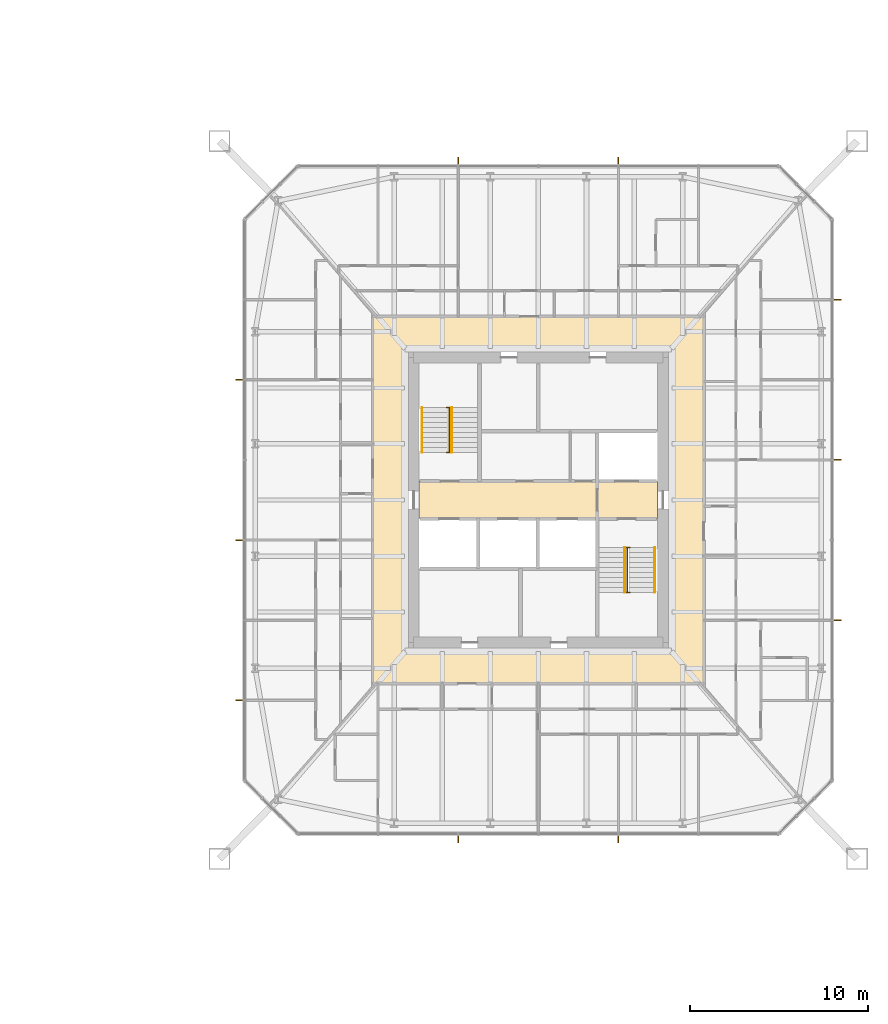
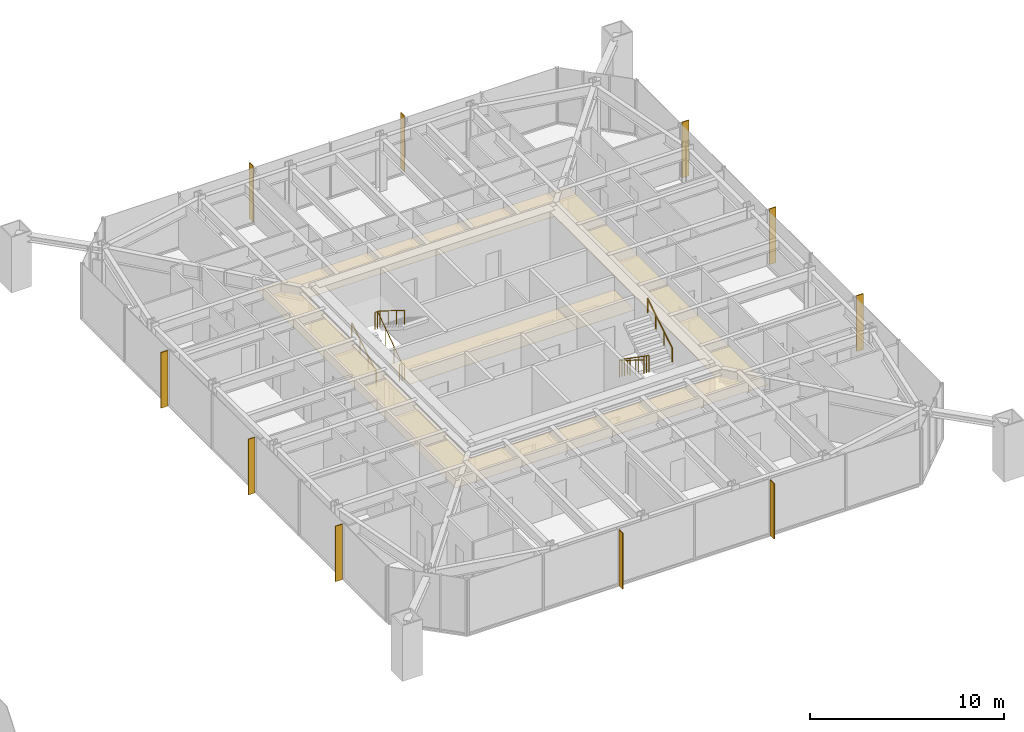
# One storey, part 26 of 26: 10 shading devices, 6 railings, 3 coverings.
"""IFC4 building model written with IfcOpenShell, lengths in metres."""

from ifc_helpers import new_model, si_unit, direction, frame, origin, origin_2d, place, context, subcontext, project, spatial, polyline, rectangle, circle, outline, extrude, material, layer, layer_set, constituent, constituent_set, type_object, element, save


model = new_model("IFC4")

# Units and contexts
model_context = context("Model", 3, precision=1e-05, world=origin(), true_north=direction((0.0, 1.0)))
body_context = subcontext(model_context, "Body", "Model", "MODEL_VIEW")
ifc_project = project(units=[si_unit("LENGTHUNIT", "METRE"), si_unit("AREAUNIT", "SQUARE_METRE"), si_unit("VOLUMEUNIT", "CUBIC_METRE"), si_unit("PLANEANGLEUNIT", "RADIAN"), si_unit("MASSUNIT", "GRAM", prefix="KILO")], contexts=[model_context])

# Site, building, storey
site_placement = place(None, origin())
site = spatial("IfcSite", under=ifc_project, at=site_placement, CompositionType="ELEMENT")
building_placement = place(site_placement, origin())
building = spatial("IfcBuilding", under=site, at=building_placement, Name="Iwan Alto Co-Living Towers", CompositionType="ELEMENT")
storey_placement = place(building_placement, frame((0.0, 0.0, 29.0)))
storey = spatial("IfcBuildingStorey", under=building, at=storey_placement, Name="L07", CompositionType="ELEMENT", Elevation=29.0)

# Coverings
ifc_material_1 = material(Name="Mineral fibre acoustic tiles on steel grid", Category="steel")
ifc_layer_1 = layer(ifc_material_1, 0.02001953125)
ifc_layer_set_1 = layer_set([ifc_layer_1], Name="ACOUSTIC TILE CEILING 20")
covering_type_1 = type_object("IfcCoveringType", Name="ACOUSTIC TILE CEILING 20", PredefinedType="CEILING", material=ifc_layer_set_1)
covering_1_placement = place(storey_placement, frame((0.0, 0.0, 2.60009765625)))
element("IfcCovering", 1, at=covering_1_placement, inside=storey, type_object=covering_type_1, Name="Ceiling Lift lobby L07", PredefinedType="CEILING", context=body_context, shape_type="SweptSolid", body=[
    extrude(outline(polyline([(56.300048828125, -1.050048828125), (56.300048828125, 1.050048828125), (66.300048828125, 1.050048828125), (66.300048828125, -1.050048828125), (56.300048828125, -1.050048828125)])), origin(), (0.0, 0.0, 1.0), 0.02001953125),
])
covering_2_placement = place(storey_placement, frame((0.0, 0.0, 2.60009765625)))
element("IfcCovering", 2, at=covering_2_placement, inside=storey, type_object=covering_type_1, Name="Ceiling Firefighting lobby L07", PredefinedType="CEILING", context=body_context, shape_type="SweptSolid", body=[
    extrude(outline(polyline([(66.300048828125, -1.050048828125), (66.300048828125, 1.050048828125), (69.699951171875, 1.050048828125), (69.699951171875, -1.050048828125), (66.300048828125, -1.050048828125)])), origin(), (0.0, 0.0, 1.0), 0.02001953125),
])

# Shading devices
ifc_material_2 = material(Name="Aluminium 6063-T6 bronze anodised", Category="aluminium")
ifc_layer_2 = layer(ifc_material_2, 0.050048828125)
ifc_layer_set_2 = layer_set([ifc_layer_2], Name="BRONZE FIN 50X400")
shading_device_type = type_object("IfcShadingDeviceType", Name="BRONZE FIN 50X400", PredefinedType="USERDEFINED", material=ifc_layer_set_2)
for number, where, z_axis, x_axis, name in (
    (3, (58.5, -19.050048828125, 0.0), (0.0, 0.0, 1.0), (1.0, 0.0, 0.0), "Bronze fin L07"),
    (4, (67.5, -19.050048828125, 0.0), (0.0, 0.0, 1.0), (1.0, 0.0, 0.0), "Bronze fin L07"),
    (5, (79.800048828125, -6.75, 0.0), (0.0, 0.0, 1.0), (0.0, 1.0, 0.0), "Bronze fin L07"),
    (6, (79.800048828125, 2.25, 0.0), (0.0, 0.0, 1.0), (0.0, 1.0, 0.0), "Bronze fin L07"),
    (7, (79.800048828125, 11.25, 0.0), (0.0, 0.0, 1.0), (0.0, 1.0, 0.0), "Bronze fin L07"),
    (8, (67.5, 19.050048828125, 0.0), (0.0, 0.0, 1.0), (-1.0, 0.0, 0.0), "Bronze fin L07"),
    (9, (58.5, 19.050048828125, 0.0), (0.0, 0.0, 1.0), (-1.0, 0.0, 0.0), "Bronze fin L07"),
    (10, (46.199951171875, 6.75, 0.0), (0.0, 0.0, 1.0), (0.0, -1.0, 0.0), "Bronze fin L07"),
    (11, (46.199951171875, -2.25, 0.0), (0.0, 0.0, 1.0), (0.0, -1.0, 0.0), "Bronze fin L07"),
    (12, (46.199951171875, -11.25, 0.0), (0.0, 0.0, 1.0), (0.0, -1.0, 0.0), "Bronze fin L07"),
):
    element("IfcShadingDevice", number, at=place(storey_placement, frame(where, z_axis=z_axis, x_axis=x_axis)), inside=storey, type_object=shading_device_type, Name=name, ObjectType="LOUVER", PredefinedType="USERDEFINED", context=body_context, shape_type="SweptSolid", body=[
        extrude(rectangle(XDim=0.050048828125, YDim=0.39990234375, at=origin_2d()), origin(), (0.0, 0.0, 1.0), 3.5),
    ])

# Railings
ifc_material_3 = material(Name="Steel ASTM A500 Gr C", Category="steel")
ifc_constituent_1 = constituent(ifc_material_3, Name="Rails and posts", Category="Framing")
ifc_material_4 = material(Name="Steel ASTM A36", Category="steel")
ifc_constituent_2 = constituent(ifc_material_4, Name="Bar infill", Category="Infill")
ifc_constituent_set = constituent_set(constituents=[ifc_constituent_1, ifc_constituent_2], Name="STAIR GUARD 1100")
railing_type_1 = type_object("IfcRailingType", Name="STAIR GUARD 1100", PredefinedType="GUARDRAIL", material=ifc_constituent_set)
railing_1_placement = place(storey_placement, frame((58.0, 2.669921875, 0.0)))
element("IfcRailing", 13, at=railing_1_placement, inside=storey, type_object=railing_type_1, Name="Stair T2-S1 well guard L07", PredefinedType="GUARDRAIL", context=body_context, shape_type="SweptSolid", body=[
    extrude(circle(Radius=0.02392578125, at=origin_2d()), frame((0.0, 0.0, 1.076171875), z_axis=(0.0, 0.821372036852, 0.570392826987), x_axis=(-1.0, 0.0, 0.0)), (0.0, 0.0, 1.0), 3.068115234375),
    extrude(circle(Radius=0.02392578125, at=origin_2d()), frame((-0.14990234375, 0.0, 1.076171875), z_axis=(1.0, 0.0, 0.0), x_axis=(0.0, 1.0, 0.0)), (0.0, 0.0, 1.0), 0.2998046875),
    extrude(circle(Radius=0.02392578125, at=origin_2d()), frame((-0.14990234375, 2.52001953125, 2.826171875), z_axis=(1.0, 0.0, 0.0), x_axis=(0.0, 1.0, 0.0)), (0.0, 0.0, 1.0), 0.2998046875),
    extrude(circle(Radius=0.02099609375, at=origin_2d()), origin(), (0.0, 0.0, 1.0), 1.052001953125),
    extrude(circle(Radius=0.02099609375, at=origin_2d()), frame((0.0, 0.840087890625, 0.583251953125)), (0.0, 0.0, 1.0), 1.052001953125),
    extrude(circle(Radius=0.02099609375, at=origin_2d()), frame((0.0, 1.679931640625, 1.166748046875)), (0.0, 0.0, 1.0), 1.052001953125),
    extrude(circle(Radius=0.02099609375, at=origin_2d()), frame((0.0, 2.52001953125, 1.75)), (0.0, 0.0, 1.0), 1.052001953125),
    extrude(circle(Radius=0.02099609375, at=origin_2d()), frame((-0.14990234375, 0.0, 0.0)), (0.0, 0.0, 1.0), 1.052001953125),
    extrude(circle(Radius=0.02099609375, at=origin_2d()), frame((0.14990234375, 0.0, 0.0)), (0.0, 0.0, 1.0), 1.052001953125),
    extrude(circle(Radius=0.02099609375, at=origin_2d()), frame((-0.14990234375, 2.52001953125, 1.75)), (0.0, 0.0, 1.0), 1.052001953125),
    extrude(circle(Radius=0.02099609375, at=origin_2d()), frame((0.14990234375, 2.52001953125, 1.75)), (0.0, 0.0, 1.0), 1.052001953125),
])
railing_2_placement = place(storey_placement, frame((68.0, -2.669921875, 0.0)))
element("IfcRailing", 14, at=railing_2_placement, inside=storey, type_object=railing_type_1, Name="Stair T2-S2 well guard L07", PredefinedType="GUARDRAIL", context=body_context, shape_type="SweptSolid", body=[
    extrude(circle(Radius=0.02392578125, at=origin_2d()), frame((0.0, 0.0, 1.076171875), z_axis=(0.0, -0.821372036852, 0.570392826987), x_axis=(1.0, 0.0, 0.0)), (0.0, 0.0, 1.0), 3.068115234375),
    extrude(circle(Radius=0.02392578125, at=origin_2d()), frame((-0.14990234375, 0.0, 1.076171875), z_axis=(1.0, 0.0, 0.0), x_axis=(0.0, 1.0, 0.0)), (0.0, 0.0, 1.0), 0.2998046875),
    extrude(circle(Radius=0.02392578125, at=origin_2d()), frame((-0.14990234375, -2.52001953125, 2.826171875), z_axis=(1.0, 0.0, 0.0), x_axis=(0.0, 1.0, 0.0)), (0.0, 0.0, 1.0), 0.2998046875),
    extrude(circle(Radius=0.02099609375, at=origin_2d()), origin(), (0.0, 0.0, 1.0), 1.052001953125),
    extrude(circle(Radius=0.02099609375, at=origin_2d()), frame((0.0, -0.840087890625, 0.583251953125)), (0.0, 0.0, 1.0), 1.052001953125),
    extrude(circle(Radius=0.02099609375, at=origin_2d()), frame((0.0, -1.679931640625, 1.166748046875)), (0.0, 0.0, 1.0), 1.052001953125),
    extrude(circle(Radius=0.02099609375, at=origin_2d()), frame((0.0, -2.52001953125, 1.75)), (0.0, 0.0, 1.0), 1.052001953125),
    extrude(circle(Radius=0.02099609375, at=origin_2d()), frame((-0.14990234375, 0.0, 0.0)), (0.0, 0.0, 1.0), 1.052001953125),
    extrude(circle(Radius=0.02099609375, at=origin_2d()), frame((0.14990234375, 0.0, 0.0)), (0.0, 0.0, 1.0), 1.052001953125),
    extrude(circle(Radius=0.02099609375, at=origin_2d()), frame((-0.14990234375, -2.52001953125, 1.75)), (0.0, 0.0, 1.0), 1.052001953125),
    extrude(circle(Radius=0.02099609375, at=origin_2d()), frame((0.14990234375, -2.52001953125, 1.75)), (0.0, 0.0, 1.0), 1.052001953125),
])
ifc_material_5 = material(Name="Steel ASTM A500 Gr C", Category="steel")
railing_type_2 = type_object("IfcRailingType", Name="STAIR HANDRAIL 900", PredefinedType="HANDRAIL", material=ifc_material_5)
railing_3_placement = place(storey_placement, frame((56.469970703125, 2.669921875, 0.175048828125)))
element("IfcRailing", 15, at=railing_3_placement, inside=storey, type_object=railing_type_2, Name="Stair T2-S1 handrail 1 L07", PredefinedType="HANDRAIL", context=body_context, shape_type="SweptSolid", body=[
    extrude(circle(Radius=0.02392578125, at=origin_2d()), frame((0.0, 0.0, 0.8759765625), z_axis=(0.0, 0.848007534815, 0.529984170421), x_axis=(-1.0, 0.0, 0.0)), (0.0, 0.0, 1.0), 2.9716796875),
    extrude(circle(Radius=0.02099609375, at=origin_2d()), origin(), (0.0, 0.0, 1.0), 0.851806640625),
    extrude(circle(Radius=0.02099609375, at=origin_2d()), frame((0.0, 0.840087890625, 0.52490234375)), (0.0, 0.0, 1.0), 0.851806640625),
    extrude(circle(Radius=0.02099609375, at=origin_2d()), frame((0.0, 1.679931640625, 1.050048828125)), (0.0, 0.0, 1.0), 0.851806640625),
    extrude(circle(Radius=0.02099609375, at=origin_2d()), frame((0.0, 2.52001953125, 1.574951171875)), (0.0, 0.0, 1.0), 0.851806640625),
])
for number, where, name in (
    (16, (58.14990234375, 5.18994140625, 1.925048828125), "Stair T2-S1 handrail 2 L07"),
    (17, (67.85009765625, -2.669921875, 0.175048828125), "Stair T2-S2 handrail 1 L07"),
):
    element("IfcRailing", number, at=place(storey_placement, frame(where)), inside=storey, type_object=railing_type_2, Name=name, PredefinedType="HANDRAIL", context=body_context, shape_type="SweptSolid", body=[
        extrude(circle(Radius=0.02392578125, at=origin_2d()), frame((0.0, 0.0, 0.8759765625), z_axis=(0.0, -0.848007534815, 0.529984170421), x_axis=(1.0, 0.0, 0.0)), (0.0, 0.0, 1.0), 2.9716796875),
        extrude(circle(Radius=0.02099609375, at=origin_2d()), origin(), (0.0, 0.0, 1.0), 0.851806640625),
        extrude(circle(Radius=0.02099609375, at=origin_2d()), frame((0.0, -0.840087890625, 0.52490234375)), (0.0, 0.0, 1.0), 0.851806640625),
        extrude(circle(Radius=0.02099609375, at=origin_2d()), frame((0.0, -1.679931640625, 1.050048828125)), (0.0, 0.0, 1.0), 0.851806640625),
        extrude(circle(Radius=0.02099609375, at=origin_2d()), frame((0.0, -2.52001953125, 1.574951171875)), (0.0, 0.0, 1.0), 0.851806640625),
    ])
railing_4_placement = place(storey_placement, frame((69.530029296875, -5.18994140625, 1.925048828125)))
element("IfcRailing", 18, at=railing_4_placement, inside=storey, type_object=railing_type_2, Name="Stair T2-S2 handrail 2 L07", PredefinedType="HANDRAIL", context=body_context, shape_type="SweptSolid", body=[
    extrude(circle(Radius=0.02392578125, at=origin_2d()), frame((0.0, 0.0, 0.8759765625), z_axis=(0.0, 0.848007534815, 0.529984170421), x_axis=(-1.0, 0.0, 0.0)), (0.0, 0.0, 1.0), 2.9716796875),
    extrude(circle(Radius=0.02099609375, at=origin_2d()), origin(), (0.0, 0.0, 1.0), 0.851806640625),
    extrude(circle(Radius=0.02099609375, at=origin_2d()), frame((0.0, 0.840087890625, 0.52490234375)), (0.0, 0.0, 1.0), 0.851806640625),
    extrude(circle(Radius=0.02099609375, at=origin_2d()), frame((0.0, 1.679931640625, 1.050048828125)), (0.0, 0.0, 1.0), 0.851806640625),
    extrude(circle(Radius=0.02099609375, at=origin_2d()), frame((0.0, 2.52001953125, 1.574951171875)), (0.0, 0.0, 1.0), 0.851806640625),
])

# Covering
ifc_material_6 = material(Name="Gypsum plasterboard on steel grid", Category="steel")
ifc_layer_3 = layer(ifc_material_6, 0.014892578125)
ifc_layer_set_3 = layer_set([ifc_layer_3], Name="SUSPENDED PLASTERBOARD CEILING 15")
covering_type_2 = type_object("IfcCoveringType", Name="SUSPENDED PLASTERBOARD CEILING 15", PredefinedType="CEILING", material=ifc_layer_set_3)
covering_3_placement = place(storey_placement, frame((0.0, 0.0, 2.60009765625)))
element("IfcCovering", 19, at=covering_3_placement, inside=storey, type_object=covering_type_2, Name="Ceiling Corridor L07", PredefinedType="CEILING", context=body_context, shape_type="SweptSolid", body=[
    extrude(outline(polyline([(53.699951171875, 10.300048828125), (72.300048828125, 10.300048828125), (72.300048828125, -10.300048828125), (53.699951171875, -10.300048828125), (53.699951171875, 10.300048828125)]), holes=[polyline([(55.699951171875, 8.300048828125), (55.699951171875, -8.300048828125), (70.300048828125, -8.300048828125), (70.300048828125, 8.300048828125), (55.699951171875, 8.300048828125)])]), origin(), (0.0, 0.0, 1.0), 0.014892578125),
])

save(model, "model.ifc")
